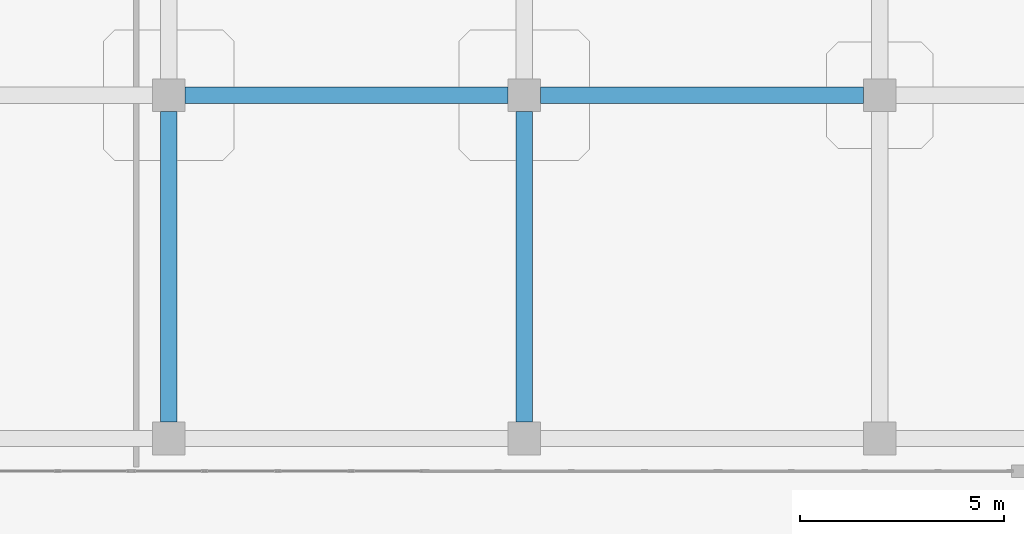
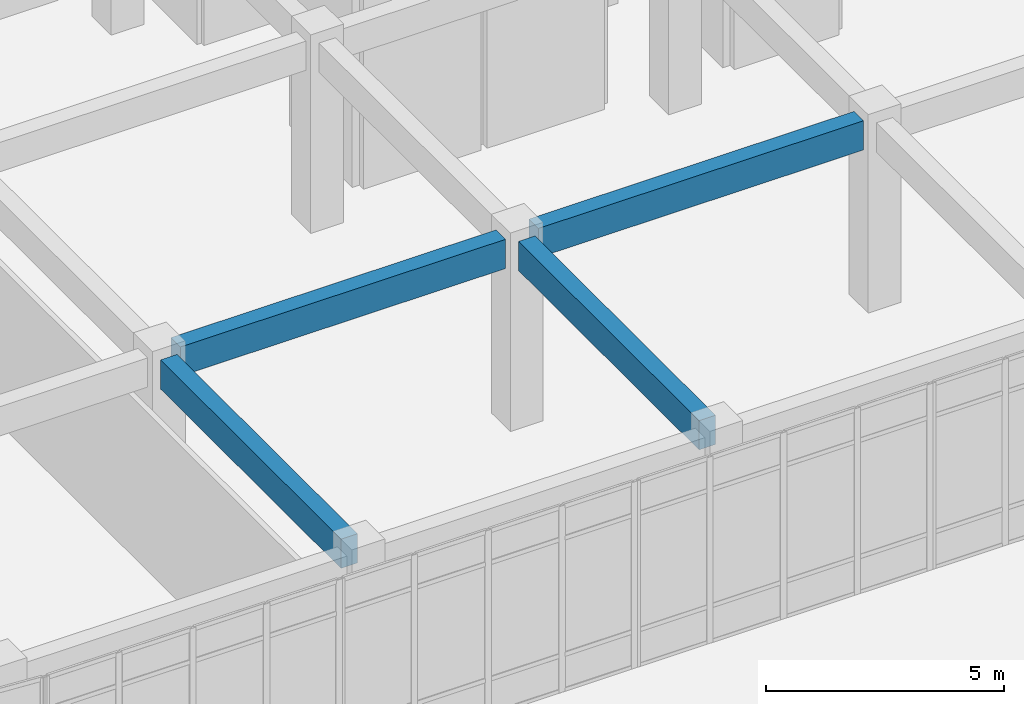
# One storey, part 15 of 96: 4 beams.
"""IFC4 building model written with IfcOpenShell, lengths in metres."""

from ifc_helpers import new_model, si_unit, derived_unit, direction, frame, origin, origin_2d, place, context, subcontext, project, spatial, rectangle, extrude, material, material_profile, profile_set, type_object, element, save


model = new_model("IFC4")

# Units and contexts
model_context = context("Model", 3, precision=1e-05, world=origin(), true_north=direction((0.0, 1.0)))
body_context = subcontext(model_context, "Body", "Model", "MODEL_VIEW")
ifc_project = project(units=[si_unit("LENGTHUNIT", "METRE"), si_unit("AREAUNIT", "SQUARE_METRE"), si_unit("VOLUMEUNIT", "CUBIC_METRE"), si_unit("PLANEANGLEUNIT", "RADIAN"), si_unit("MASSUNIT", "GRAM", prefix="KILO"), derived_unit("THERMALTRANSMITTANCEUNIT", [(si_unit("MASSUNIT", "GRAM", prefix="KILO"), 1), (si_unit("TIMEUNIT", "SECOND"), -3), (si_unit("THERMODYNAMICTEMPERATUREUNIT", "KELVIN"), -1)])], contexts=[model_context])

# Site, building, storey
site_placement = place(None, origin())
site = spatial("IfcSite", under=ifc_project, at=site_placement, CompositionType="ELEMENT")
building_placement = place(site_placement, origin())
building = spatial("IfcBuilding", under=site, at=building_placement, Name="Qinzheling Arcade Emporium", CompositionType="ELEMENT")
storey_placement = place(building_placement, frame((0.0, 0.0, 21.60009765625)))
storey = spatial("IfcBuildingStorey", under=building, at=storey_placement, Name="L05", CompositionType="ELEMENT", Elevation=21.60009765625)

# Beams
ifc_material = material(Name="Concrete C40", Category="concrete")
ifc_material_profile = material_profile(ifc_material, rectangle(XDim=0.39990234375, YDim=0.75, at=origin_2d()), Name="RC 400x750", Category="concrete")
ifc_profile_set = profile_set([ifc_material_profile], Name="Concrete C40")
beam_type = type_object("IfcBeamType", Name="RC Interior Tie Beam 400x750 C40", PredefinedType="BEAM", material=ifc_profile_set)
for number, where, z_axis, x_axis, name in (
    (1, (35.199951171875, 16.800048828125, 4.44482421875), (1.0, 0.0, 0.0), (0.0, 1.0, 0.0), "Beam BM-L05-X-C-5"),
    (2, (43.89990234375, 16.800048828125, 4.44482421875), (1.0, 0.0, 0.0), (0.0, 1.0, 0.0), "Beam BM-L05-X-C-6"),
):
    element("IfcBeam", number, at=place(storey_placement, frame(where, z_axis=z_axis, x_axis=x_axis)), inside=storey, type_object=beam_type, Name=name, PredefinedType="BEAM", context=body_context, shape_type="SweptSolid", body=[
        extrude(rectangle(XDim=0.39990234375, YDim=0.75, at=origin_2d()), origin(), (0.0, 0.0, 1.0), 7.900146484375),
    ])
for number, where, z_axis, x_axis, name in (
    (3, (34.800048828125, 8.800048828125, 4.44482421875), (0.0, 1.0, 0.0), (-1.0, 0.0, 0.0), "Beam BM-L05-Y-5-B"),
    (4, (43.5, 8.800048828125, 4.44482421875), (0.0, 1.0, 0.0), (-1.0, 0.0, 0.0), "Beam BM-L05-Y-6-B"),
):
    element("IfcBeam", number, at=place(storey_placement, frame(where, z_axis=z_axis, x_axis=x_axis)), inside=storey, type_object=beam_type, Name=name, PredefinedType="BEAM", context=body_context, shape_type="SweptSolid", body=[
        extrude(rectangle(XDim=0.39990234375, YDim=0.75, at=origin_2d()), origin(), (0.0, 0.0, 1.0), 7.599853515625),
    ])

save(model, "model.ifc")
